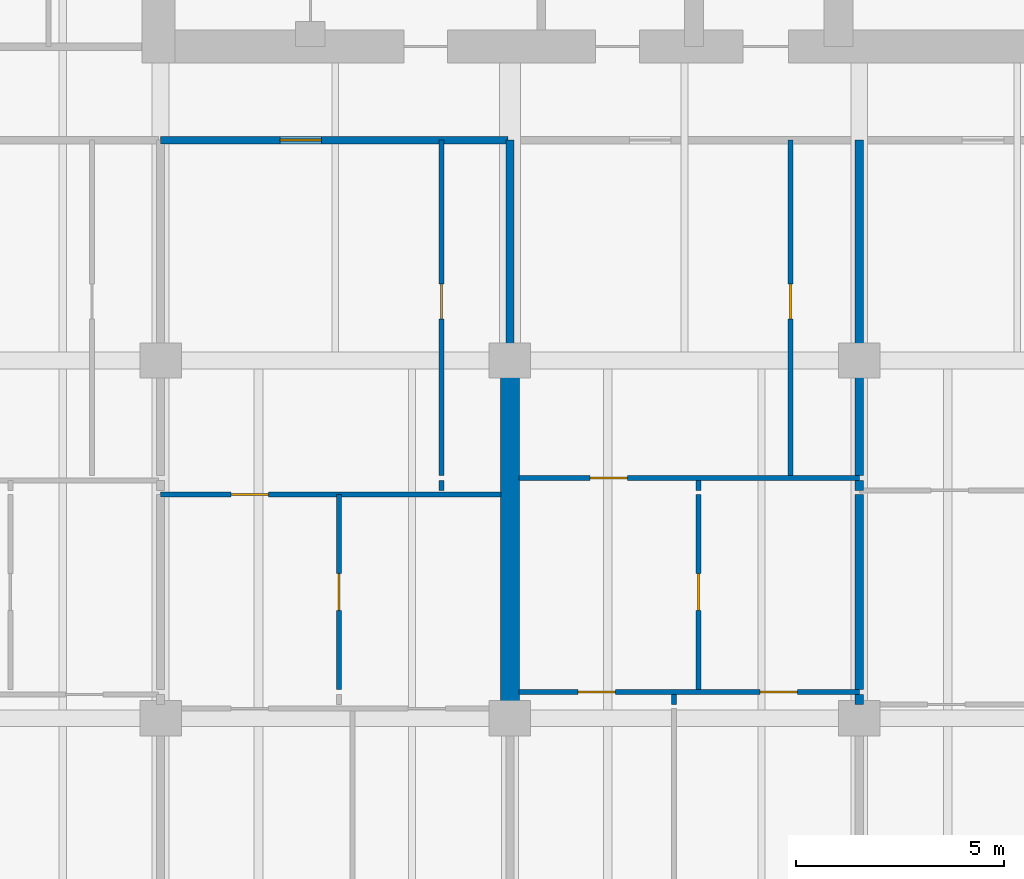
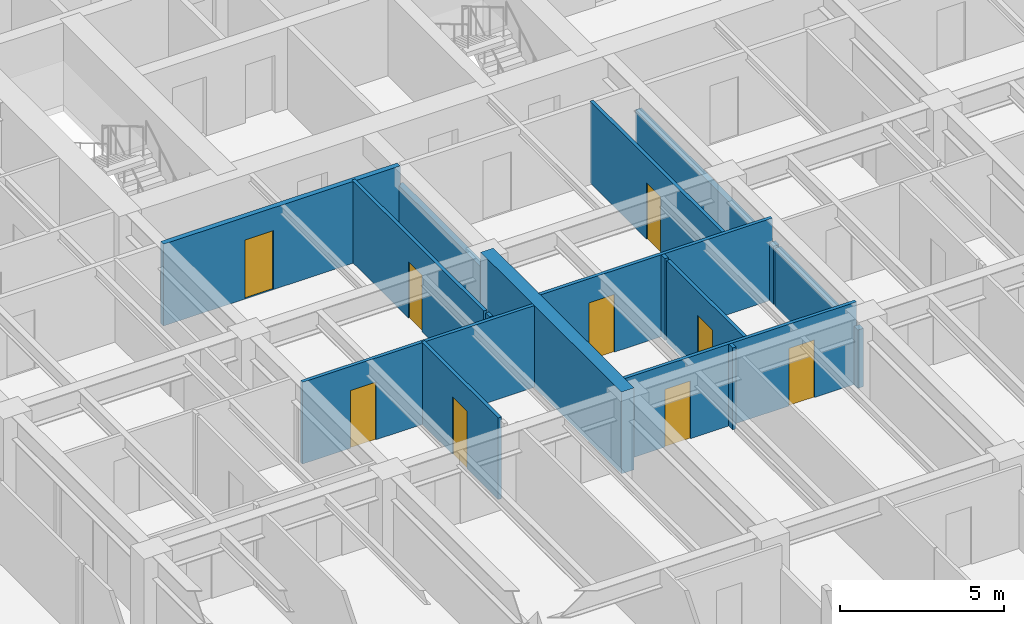
# One storey, part 7 of 18: 17 walls, 9 doors, 9 openings.
"""IFC4 building model written with IfcOpenShell, lengths in metres."""

from ifc_helpers import new_model, si_unit, direction, frame, frame_2d, origin, place, context, subcontext, project, spatial, rectangle, extrude, material, layer, layer_set, type_object, element, fill, save


model = new_model("IFC4")

# Units and contexts
model_context = context("Model", 3, precision=1e-05, world=origin(), true_north=direction((0.0, 1.0)))
body_context = subcontext(model_context, "Body", "Model", "MODEL_VIEW")
ifc_project = project(units=[si_unit("LENGTHUNIT", "METRE"), si_unit("AREAUNIT", "SQUARE_METRE"), si_unit("VOLUMEUNIT", "CUBIC_METRE"), si_unit("PLANEANGLEUNIT", "RADIAN"), si_unit("MASSUNIT", "GRAM", prefix="KILO")], contexts=[model_context])

# Site, building, storey
site_placement = place(None, origin())
site = spatial("IfcSite", under=ifc_project, at=site_placement, CompositionType="ELEMENT")
building_placement = place(site_placement, origin())
building = spatial("IfcBuilding", under=site, at=building_placement, Name="Caelmar Bay Residences", CompositionType="ELEMENT")
storey_placement = place(building_placement, frame((0.0, 0.0, 125.699951171875)))
storey = spatial("IfcBuildingStorey", under=building, at=storey_placement, Name="L34", CompositionType="ELEMENT", Elevation=125.699951171875)

# Wall
ifc_material_1 = material(Name="Concrete f'c 55 MPa (8,000 psi)", Category="concrete")
ifc_layer_1 = layer(ifc_material_1, 0.449951171875)
ifc_layer_set_1 = layer_set([ifc_layer_1], Name="Concrete f'c 55 MPa (8,000 psi)")
wall_type_1 = type_object("IfcWallType", Name="SW-XSLB-450", PredefinedType="SHEAR", material=ifc_layer_set_1)
wall_1_placement = place(storey_placement, frame((26.699951171875, 20.800048828125, 0.0), z_axis=(0.0, 0.0, 1.0), x_axis=(0.0, 1.0, 0.0)))
element("IfcWall", 1, at=wall_1_placement, inside=storey, type_object=wall_type_1, Name="L34 Transverse Cross-Slab Shear Wall W5", PredefinedType="SHEAR", context=body_context, shape_type="SweptSolid", body=[
    extrude(rectangle(XDim=8.599853515625, YDim=0.449951171875, at=frame_2d((4.2998046875, 0.0))), origin(), (0.0, 0.0, 1.0), 3.050048828125),
])

# Wall, opening, door
ifc_material_2 = material(Name="Double-stud acoustic fire-rated gypsum partition 180 mm")
ifc_layer_2 = layer(ifc_material_2, 0.179931640625)
ifc_layer_set_2 = layer_set([ifc_layer_2], Name="Double-stud acoustic fire-rated gypsum partition 180 mm")
wall_type_2 = type_object("IfcWallType", Name="W-COR-200", PredefinedType="PARTITIONING", material=ifc_layer_set_2)
wall_2_placement = place(storey_placement, frame((18.300048828125, 34.699951171875, 0.0), z_axis=(0.0, 0.0, 1.0), x_axis=(1.0, 0.0, 0.0)))
wall_2 = element("IfcWall", 2, at=wall_2_placement, inside=storey, type_object=wall_type_2, Name="L34 Partition Wall H143", PredefinedType="PARTITIONING", context=body_context, shape_type="SweptSolid", body=[
    extrude(rectangle(XDim=8.349853515625, YDim=0.179931640625, at=frame_2d((4.1748046875, 0.0))), origin(), (0.0, 0.0, 1.0), 3.050048828125),
])
opening_1_placement = place(wall_2_placement, frame((2.875, 0.0, 0.0)))
opening_1 = element("IfcOpeningElement", 3, at=opening_1_placement, cuts=wall_2, Name="Opening D-L34-131", PredefinedType="OPENING", context=body_context, shape_type="SweptSolid", body=[
    extrude(rectangle(XDim=1.0, YDim=2.199951171875, at=frame_2d((0.5, 1.10009765625))), frame((0.0, 0.099853515625, 0.0), z_axis=(0.0, -1.0, 0.0), x_axis=(1.0, 0.0, 0.0)), (0.0, 0.0, 1.0), 0.199951171875),
])
ifc_material_3 = material(Name="Fire-rated steel and walnut architectural door assembly", Category="steel")
ifc_layer_3 = layer(ifc_material_3, 0.050048828125)
ifc_layer_set_3 = layer_set([ifc_layer_3], Name="Fire-rated steel and walnut architectural door assembly")
door_type_1 = type_object("IfcDoorType", Name="D-UNIT-1000", OperationType="NOTDEFINED", PredefinedType="DOOR", material=ifc_layer_set_3)
door_1_placement = place(opening_1_placement, origin())
door_1 = element("IfcDoor", 4, at=door_1_placement, inside=storey, type_object=door_type_1, Name="L34 Residence 02 Apartment Hall Door", OperationType="SINGLE_SWING_RIGHT", OverallHeight=2.199951171875, OverallWidth=1.0, PredefinedType="DOOR", context=body_context, shape_type="SweptSolid", body=[
    extrude(rectangle(XDim=1.0, YDim=2.199951171875, at=frame_2d((0.5, 1.10009765625))), frame((0.0, 0.02490234375, 0.0), z_axis=(0.0, -1.0, 0.0), x_axis=(1.0, 0.0, 0.0)), (0.0, 0.0, 1.0), 0.050048828125),
])
fill(opening_1, door_1)

ifc_material_4 = material(Name="Acoustic metal-stud gypsum partition 120 mm")
ifc_layer_4 = layer(ifc_material_4, 0.1201171875)
ifc_layer_set_4 = layer_set([ifc_layer_4], Name="Acoustic metal-stud gypsum partition 120 mm")
wall_type_3 = type_object("IfcWallType", Name="W-PRT-120", PredefinedType="PARTITIONING", material=ifc_layer_set_4)
wall_3_placement = place(storey_placement, frame((22.5859375, 21.489990234375, 0.0), z_axis=(0.0, 0.0, 1.0), x_axis=(0.0, 1.0, 0.0)))
wall_3 = element("IfcWall", 5, at=wall_3_placement, inside=storey, type_object=wall_type_3, Name="L34 Partition Wall V031", PredefinedType="PARTITIONING", context=body_context, shape_type="SweptSolid", body=[
    extrude(rectangle(XDim=4.68994140625, YDim=0.1201171875, at=frame_2d((2.344970703125, 0.0))), origin(), (0.0, 0.0, 1.0), 3.050048828125),
])
opening_2_placement = place(wall_3_placement, frame((1.89501953125, 0.0, 0.0)))
opening_2 = element("IfcOpeningElement", 6, at=opening_2_placement, cuts=wall_3, Name="Opening D-L34-134", PredefinedType="OPENING", context=body_context, shape_type="SweptSolid", body=[
    extrude(rectangle(XDim=0.89990234375, YDim=2.14990234375, at=frame_2d((0.449951171875, 1.074951171875))), frame((0.0, 0.070068359375, 0.0), z_axis=(0.0, -1.0, 0.0), x_axis=(1.0, 0.0, 0.0)), (0.0, 0.0, 1.0), 0.14013671875),
])
ifc_material_5 = material(Name="Solid walnut timber interior door leaf and frame", Category="wood")
ifc_layer_5 = layer(ifc_material_5, 0.050048828125)
ifc_layer_set_5 = layer_set([ifc_layer_5], Name="Solid walnut timber interior door leaf and frame")
door_type_2 = type_object("IfcDoorType", Name="D-ROOM-900", OperationType="NOTDEFINED", PredefinedType="DOOR", material=ifc_layer_set_5)
door_2_placement = place(opening_2_placement, origin())
door_2 = element("IfcDoor", 7, at=door_2_placement, inside=storey, type_object=door_type_2, Name="L34 Residence 02 Study Door", OperationType="SINGLE_SWING_LEFT", OverallHeight=2.14990234375, OverallWidth=0.89990234375, PredefinedType="DOOR", context=body_context, shape_type="SweptSolid", body=[
    extrude(rectangle(XDim=0.89990234375, YDim=2.14990234375, at=frame_2d((0.449951171875, 1.074951171875))), frame((0.0, 0.02490234375, 0.0), z_axis=(0.0, -1.0, 0.0), x_axis=(1.0, 0.0, 0.0)), (0.0, 0.0, 1.0), 0.050048828125),
])
fill(opening_2, door_2)

# Wall
wall_4_placement = place(storey_placement, frame((25.050048828125, 26.280029296875, 0.0), z_axis=(0.0, 0.0, 1.0), x_axis=(0.0, 1.0, 0.0)))
element("IfcWall", 8, at=wall_4_placement, inside=storey, type_object=wall_type_3, Name="L34 Partition Wall V034", PredefinedType="PARTITIONING", context=body_context, shape_type="SweptSolid", body=[
    extrude(rectangle(XDim=0.239990234375, YDim=0.1201171875, at=frame_2d((0.1201171875, 0.0))), origin(), (0.0, 0.0, 1.0), 3.050048828125),
])

# Wall, opening, door
wall_5_placement = place(storey_placement, frame((25.050048828125, 26.639892578125, 0.0), z_axis=(0.0, 0.0, 1.0), x_axis=(0.0, 1.0, 0.0)))
wall_5 = element("IfcWall", 9, at=wall_5_placement, inside=storey, type_object=wall_type_3, Name="L34 Partition Wall V035", PredefinedType="PARTITIONING", context=body_context, shape_type="SweptSolid", body=[
    extrude(rectangle(XDim=8.06005859375, YDim=0.1201171875, at=frame_2d((4.030029296875, 0.0))), origin(), (0.0, 0.0, 1.0), 3.050048828125),
])
opening_3_placement = place(wall_5_placement, frame((3.7548828125, 0.0, 0.0)))
opening_3 = element("IfcOpeningElement", 10, at=opening_3_placement, cuts=wall_5, Name="Opening D-L34-132", PredefinedType="OPENING", context=body_context, shape_type="SweptSolid", body=[
    extrude(rectangle(XDim=0.85009765625, YDim=2.10009765625, at=frame_2d((0.425048828125, 1.050048828125))), frame((0.0, 0.070068359375, 0.0), z_axis=(0.0, -1.0, 0.0), x_axis=(1.0, 0.0, 0.0)), (0.0, 0.0, 1.0), 0.14013671875),
])
ifc_layer_6 = layer(ifc_material_5, 0.050048828125)
ifc_layer_set_6 = layer_set([ifc_layer_6], Name="Solid walnut timber interior door leaf and frame")
door_type_3 = type_object("IfcDoorType", Name="D-BATH-850", OperationType="NOTDEFINED", PredefinedType="DOOR", material=ifc_layer_set_6)
door_3_placement = place(opening_3_placement, origin())
door_3 = element("IfcDoor", 11, at=door_3_placement, inside=storey, type_object=door_type_3, Name="L34 Residence 02 Bathroom Door", OperationType="SINGLE_SWING_LEFT", OverallHeight=2.10009765625, OverallWidth=0.85009765625, PredefinedType="DOOR", context=body_context, shape_type="SweptSolid", body=[
    extrude(rectangle(XDim=0.85009765625, YDim=2.10009765625, at=frame_2d((0.425048828125, 1.050048828125))), frame((0.0, 0.02490234375, 0.0), z_axis=(0.0, -1.0, 0.0), x_axis=(1.0, 0.0, 0.0)), (0.0, 0.0, 1.0), 0.050048828125),
])
fill(opening_3, door_3)

# Wall
wall_6_placement = place(storey_placement, frame((30.64794921875, 21.1298828125, 0.0), z_axis=(0.0, 0.0, 1.0), x_axis=(0.0, 1.0, 0.0)))
element("IfcWall", 12, at=wall_6_placement, inside=storey, type_object=wall_type_3, Name="L34 Partition Wall V045", PredefinedType="PARTITIONING", context=body_context, shape_type="SweptSolid", body=[
    extrude(rectangle(XDim=0.240234375, YDim=0.1201171875, at=frame_2d((0.1201171875, 0.0))), origin(), (0.0, 0.0, 1.0), 3.050048828125),
])

# Wall, opening, door
wall_7_placement = place(storey_placement, frame((31.236083984375, 21.489990234375, 0.0), z_axis=(0.0, 0.0, 1.0), x_axis=(0.0, 1.0, 0.0)))
wall_7 = element("IfcWall", 13, at=wall_7_placement, inside=storey, type_object=wall_type_3, Name="L34 Partition Wall V046", PredefinedType="PARTITIONING", context=body_context, shape_type="SweptSolid", body=[
    extrude(rectangle(XDim=4.68994140625, YDim=0.1201171875, at=frame_2d((2.344970703125, 0.0))), origin(), (0.0, 0.0, 1.0), 3.050048828125),
])
opening_4_placement = place(wall_7_placement, frame((1.89501953125, 0.0, 0.0)))
opening_4 = element("IfcOpeningElement", 14, at=opening_4_placement, cuts=wall_7, Name="Opening D-L34-141", PredefinedType="OPENING", context=body_context, shape_type="SweptSolid", body=[
    extrude(rectangle(XDim=0.89990234375, YDim=2.14990234375, at=frame_2d((0.449951171875, 1.074951171875))), frame((0.0, 0.070068359375, 0.0), z_axis=(0.0, -1.0, 0.0), x_axis=(1.0, 0.0, 0.0)), (0.0, 0.0, 1.0), 0.14013671875),
])
door_4_placement = place(opening_4_placement, origin())
door_4 = element("IfcDoor", 15, at=door_4_placement, inside=storey, type_object=door_type_2, Name="L34 Residence 03 Study Door", OperationType="SINGLE_SWING_RIGHT", OverallHeight=2.14990234375, OverallWidth=0.89990234375, PredefinedType="DOOR", context=body_context, shape_type="SweptSolid", body=[
    extrude(rectangle(XDim=0.89990234375, YDim=2.14990234375, at=frame_2d((0.449951171875, 1.074951171875))), frame((0.0, 0.02490234375, 0.0), z_axis=(0.0, -1.0, 0.0), x_axis=(1.0, 0.0, 0.0)), (0.0, 0.0, 1.0), 0.050048828125),
])
fill(opening_4, door_4)

# Wall
wall_8_placement = place(storey_placement, frame((31.236083984375, 26.280029296875, 0.0), z_axis=(0.0, 0.0, 1.0), x_axis=(0.0, 1.0, 0.0)))
element("IfcWall", 16, at=wall_8_placement, inside=storey, type_object=wall_type_3, Name="L34 Partition Wall V047", PredefinedType="PARTITIONING", context=body_context, shape_type="SweptSolid", body=[
    extrude(rectangle(XDim=0.239990234375, YDim=0.1201171875, at=frame_2d((0.1201171875, 0.0))), origin(), (0.0, 0.0, 1.0), 3.050048828125),
])

# Wall, opening, door
wall_9_placement = place(storey_placement, frame((33.449951171875, 26.639892578125, 0.0), z_axis=(0.0, 0.0, 1.0), x_axis=(0.0, 1.0, 0.0)))
wall_9 = element("IfcWall", 17, at=wall_9_placement, inside=storey, type_object=wall_type_3, Name="L34 Partition Wall V049", PredefinedType="PARTITIONING", context=body_context, shape_type="SweptSolid", body=[
    extrude(rectangle(XDim=8.06005859375, YDim=0.1201171875, at=frame_2d((4.030029296875, 0.0))), origin(), (0.0, 0.0, 1.0), 3.050048828125),
])
opening_5_placement = place(wall_9_placement, frame((3.7548828125, 0.0, 0.0)))
opening_5 = element("IfcOpeningElement", 18, at=opening_5_placement, cuts=wall_9, Name="Opening D-L34-139", PredefinedType="OPENING", context=body_context, shape_type="SweptSolid", body=[
    extrude(rectangle(XDim=0.85009765625, YDim=2.10009765625, at=frame_2d((0.425048828125, 1.050048828125))), frame((0.0, 0.070068359375, 0.0), z_axis=(0.0, -1.0, 0.0), x_axis=(1.0, 0.0, 0.0)), (0.0, 0.0, 1.0), 0.14013671875),
])
door_5_placement = place(opening_5_placement, origin())
door_5 = element("IfcDoor", 19, at=door_5_placement, inside=storey, type_object=door_type_3, Name="L34 Residence 03 Bathroom Door", OperationType="SINGLE_SWING_RIGHT", OverallHeight=2.10009765625, OverallWidth=0.85009765625, PredefinedType="DOOR", context=body_context, shape_type="SweptSolid", body=[
    extrude(rectangle(XDim=0.85009765625, YDim=2.10009765625, at=frame_2d((0.425048828125, 1.050048828125))), frame((0.0, 0.02490234375, 0.0), z_axis=(0.0, -1.0, 0.0), x_axis=(1.0, 0.0, 0.0)), (0.0, 0.0, 1.0), 0.050048828125),
])
fill(opening_5, door_5)

# Wall, openings, doors
wall_10_placement = place(storey_placement, frame((26.919921875, 21.429931640625, 0.0), z_axis=(0.0, 0.0, 1.0), x_axis=(1.0, 0.0, 0.0)))
wall_10 = element("IfcWall", 20, at=wall_10_placement, inside=storey, type_object=wall_type_3, Name="L34 Partition Wall H132", PredefinedType="PARTITIONING", context=body_context, shape_type="SweptSolid", body=[
    extrude(rectangle(XDim=8.18017578125, YDim=0.1201171875, at=frame_2d((4.090087890625, 0.0))), origin(), (0.0, 0.0, 1.0), 3.050048828125),
])
opening_6_placement = place(wall_10_placement, frame((1.4140625, 0.0, 0.0)))
opening_6 = element("IfcOpeningElement", 21, at=opening_6_placement, cuts=wall_10, Name="Opening D-L34-142", PredefinedType="OPENING", context=body_context, shape_type="SweptSolid", body=[
    extrude(rectangle(XDim=0.89990234375, YDim=2.14990234375, at=frame_2d((0.449951171875, 1.074951171875))), frame((0.0, 0.070068359375, 0.0), z_axis=(0.0, -1.0, 0.0), x_axis=(1.0, 0.0, 0.0)), (0.0, 0.0, 1.0), 0.14013671875),
])
opening_7_placement = place(wall_10_placement, frame((5.798095703125, 0.0, 0.0)))
opening_7 = element("IfcOpeningElement", 22, at=opening_7_placement, cuts=wall_10, Name="Opening D-L34-143", PredefinedType="OPENING", context=body_context, shape_type="SweptSolid", body=[
    extrude(rectangle(XDim=0.89990234375, YDim=2.14990234375, at=frame_2d((0.449951171875, 1.074951171875))), frame((0.0, 0.070068359375, 0.0), z_axis=(0.0, -1.0, 0.0), x_axis=(1.0, 0.0, 0.0)), (0.0, 0.0, 1.0), 0.14013671875),
])
door_6_placement = place(opening_6_placement, origin())
door_6 = element("IfcDoor", 23, at=door_6_placement, inside=storey, type_object=door_type_2, Name="L34 Residence 03 Living Room Door", OperationType="SINGLE_SWING_LEFT", OverallHeight=2.14990234375, OverallWidth=0.89990234375, PredefinedType="DOOR", context=body_context, shape_type="SweptSolid", body=[
    extrude(rectangle(XDim=0.89990234375, YDim=2.14990234375, at=frame_2d((0.449951171875, 1.074951171875))), frame((0.0, 0.02490234375, 0.0), z_axis=(0.0, -1.0, 0.0), x_axis=(1.0, 0.0, 0.0)), (0.0, 0.0, 1.0), 0.050048828125),
])
fill(opening_6, door_6)
door_7_placement = place(opening_7_placement, origin())
door_7 = element("IfcDoor", 24, at=door_7_placement, inside=storey, type_object=door_type_2, Name="L34 Residence 03 Penthouse Sitting Room Door", OperationType="SINGLE_SWING_RIGHT", OverallHeight=2.14990234375, OverallWidth=0.89990234375, PredefinedType="DOOR", context=body_context, shape_type="SweptSolid", body=[
    extrude(rectangle(XDim=0.89990234375, YDim=2.14990234375, at=frame_2d((0.449951171875, 1.074951171875))), frame((0.0, 0.02490234375, 0.0), z_axis=(0.0, -1.0, 0.0), x_axis=(1.0, 0.0, 0.0)), (0.0, 0.0, 1.0), 0.050048828125),
])
fill(opening_7, door_7)

# Wall, opening, door
wall_11_placement = place(storey_placement, frame((18.300048828125, 26.179931640625, 0.0), z_axis=(0.0, 0.0, 1.0), x_axis=(1.0, 0.0, 0.0)))
wall_11 = element("IfcWall", 25, at=wall_11_placement, inside=storey, type_object=wall_type_3, Name="L34 Partition Wall H134", PredefinedType="PARTITIONING", context=body_context, shape_type="SweptSolid", body=[
    extrude(rectangle(XDim=8.179931640625, YDim=0.1201171875, at=frame_2d((4.08984375, 0.0))), origin(), (0.0, 0.0, 1.0), 3.050048828125),
])
opening_8_placement = place(wall_11_placement, frame((1.693115234375, 0.0, 0.0)))
opening_8 = element("IfcOpeningElement", 26, at=opening_8_placement, cuts=wall_11, Name="Opening D-L34-133", PredefinedType="OPENING", context=body_context, shape_type="SweptSolid", body=[
    extrude(rectangle(XDim=0.89990234375, YDim=2.14990234375, at=frame_2d((0.449951171875, 1.074951171875))), frame((0.0, 0.070068359375, 0.0), z_axis=(0.0, -1.0, 0.0), x_axis=(1.0, 0.0, 0.0)), (0.0, 0.0, 1.0), 0.14013671875),
])
door_8_placement = place(opening_8_placement, origin())
door_8 = element("IfcDoor", 27, at=door_8_placement, inside=storey, type_object=door_type_2, Name="L34 Residence 02 Kitchen Door", OperationType="SINGLE_SWING_RIGHT", OverallHeight=2.14990234375, OverallWidth=0.89990234375, PredefinedType="DOOR", context=body_context, shape_type="SweptSolid", body=[
    extrude(rectangle(XDim=0.89990234375, YDim=2.14990234375, at=frame_2d((0.449951171875, 1.074951171875))), frame((0.0, 0.02490234375, 0.0), z_axis=(0.0, -1.0, 0.0), x_axis=(1.0, 0.0, 0.0)), (0.0, 0.0, 1.0), 0.050048828125),
])
fill(opening_8, door_8)

wall_12_placement = place(storey_placement, frame((26.919921875, 26.580078125, 0.0), z_axis=(0.0, 0.0, 1.0), x_axis=(1.0, 0.0, 0.0)))
wall_12 = element("IfcWall", 28, at=wall_12_placement, inside=storey, type_object=wall_type_3, Name="L34 Partition Wall H139", PredefinedType="PARTITIONING", context=body_context, shape_type="SweptSolid", body=[
    extrude(rectangle(XDim=8.18017578125, YDim=0.1201171875, at=frame_2d((4.090087890625, 0.0))), origin(), (0.0, 0.0, 1.0), 3.050048828125),
])
opening_9_placement = place(wall_12_placement, frame((1.7080078125, 0.0, 0.0)))
opening_9 = element("IfcOpeningElement", 29, at=opening_9_placement, cuts=wall_12, Name="Opening D-L34-140", PredefinedType="OPENING", context=body_context, shape_type="SweptSolid", body=[
    extrude(rectangle(XDim=0.89990234375, YDim=2.14990234375, at=frame_2d((0.449951171875, 1.074951171875))), frame((0.0, 0.070068359375, 0.0), z_axis=(0.0, -1.0, 0.0), x_axis=(1.0, 0.0, 0.0)), (0.0, 0.0, 1.0), 0.14013671875),
])
door_9_placement = place(opening_9_placement, origin())
door_9 = element("IfcDoor", 30, at=door_9_placement, inside=storey, type_object=door_type_2, Name="L34 Residence 03 Kitchen Door", OperationType="SINGLE_SWING_LEFT", OverallHeight=2.14990234375, OverallWidth=0.89990234375, PredefinedType="DOOR", context=body_context, shape_type="SweptSolid", body=[
    extrude(rectangle(XDim=0.89990234375, YDim=2.14990234375, at=frame_2d((0.449951171875, 1.074951171875))), frame((0.0, 0.02490234375, 0.0), z_axis=(0.0, -1.0, 0.0), x_axis=(1.0, 0.0, 0.0)), (0.0, 0.0, 1.0), 0.050048828125),
])
fill(opening_9, door_9)

# Walls
ifc_material_6 = material(Name="Acoustic twin-stud fire-rated inter-tenancy partition 200 mm")
ifc_layer_7 = layer(ifc_material_6, 0.199951171875)
ifc_layer_set_7 = layer_set([ifc_layer_7], Name="Acoustic twin-stud fire-rated inter-tenancy partition 200 mm")
wall_type_4 = type_object("IfcWallType", Name="W-PTY-200", PredefinedType="PARTITIONING", material=ifc_layer_set_7)
wall_13_placement = place(storey_placement, frame((26.699951171875, 29.405029296875, 0.0), z_axis=(0.0, 0.0, 1.0), x_axis=(0.0, 1.0, 0.0)))
element("IfcWall", 31, at=wall_13_placement, inside=storey, type_object=wall_type_4, Name="L34 Partition Wall V040", PredefinedType="PARTITIONING", context=body_context, shape_type="SweptSolid", body=[
    extrude(rectangle(XDim=5.294921875, YDim=0.199951171875, at=frame_2d((2.6474609375, 0.0))), origin(), (0.0, 0.0, 1.0), 2.3349609375),
])
wall_14_placement = place(storey_placement, frame((35.10009765625, 21.1298828125, 0.0), z_axis=(0.0, 0.0, 1.0), x_axis=(0.0, 1.0, 0.0)))
element("IfcWall", 32, at=wall_14_placement, inside=storey, type_object=wall_type_4, Name="L34 Partition Wall V052", PredefinedType="PARTITIONING", context=body_context, shape_type="SweptSolid", body=[
    extrude(rectangle(XDim=0.240234375, YDim=0.199951171875, at=frame_2d((0.1201171875, 0.0))), origin(), (0.0, 0.0, 1.0), 2.174072265625),
])
wall_15_placement = place(storey_placement, frame((35.10009765625, 21.489990234375, 0.0), z_axis=(0.0, 0.0, 1.0), x_axis=(0.0, 1.0, 0.0)))
element("IfcWall", 33, at=wall_15_placement, inside=storey, type_object=wall_type_4, Name="L34 Partition Wall V053", PredefinedType="PARTITIONING", context=body_context, shape_type="SweptSolid", body=[
    extrude(rectangle(XDim=4.68994140625, YDim=0.199951171875, at=frame_2d((2.344970703125, 0.0))), origin(), (0.0, 0.0, 1.0), 2.174072265625),
])
wall_16_placement = place(storey_placement, frame((35.10009765625, 26.280029296875, 0.0), z_axis=(0.0, 0.0, 1.0), x_axis=(0.0, 1.0, 0.0)))
element("IfcWall", 34, at=wall_16_placement, inside=storey, type_object=wall_type_4, Name="L34 Partition Wall V054", PredefinedType="PARTITIONING", context=body_context, shape_type="SweptSolid", body=[
    extrude(rectangle(XDim=0.239990234375, YDim=0.199951171875, at=frame_2d((0.1201171875, 0.0))), origin(), (0.0, 0.0, 1.0), 2.174072265625),
])
wall_17_placement = place(storey_placement, frame((35.10009765625, 26.639892578125, 0.0), z_axis=(0.0, 0.0, 1.0), x_axis=(0.0, 1.0, 0.0)))
element("IfcWall", 35, at=wall_17_placement, inside=storey, type_object=wall_type_4, Name="L34 Partition Wall V055", PredefinedType="PARTITIONING", context=body_context, shape_type="SweptSolid", body=[
    extrude(rectangle(XDim=8.06005859375, YDim=0.199951171875, at=frame_2d((4.030029296875, 0.0))), origin(), (0.0, 0.0, 1.0), 2.174072265625),
])

save(model, "model.ifc")
